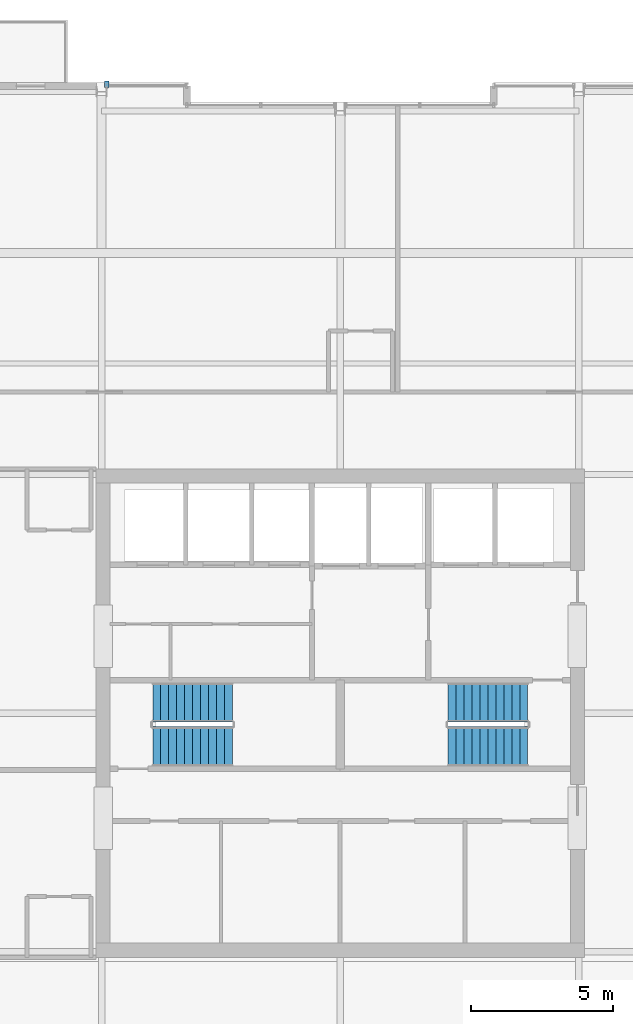
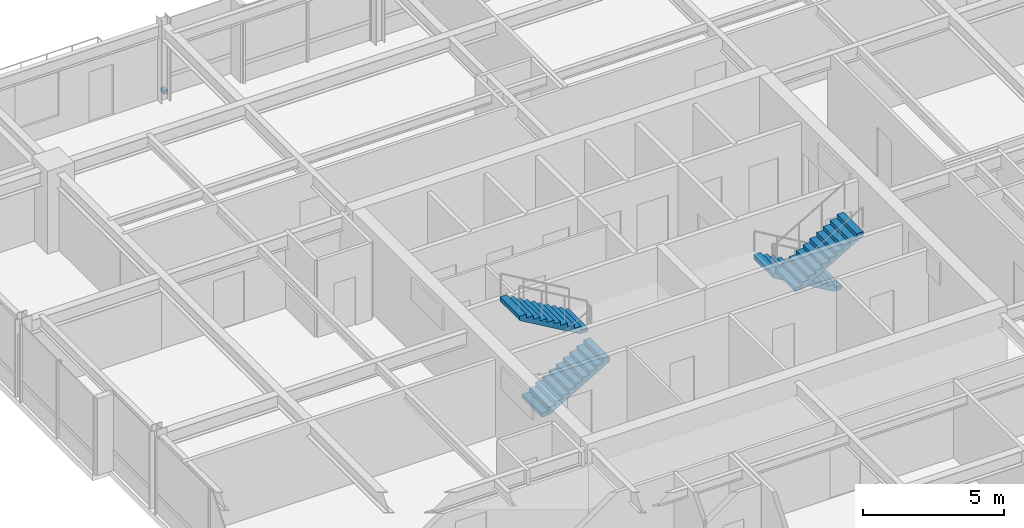
# One storey, part 28 of 30: 4 stair flights, 1 discrete accessory, 2 elements without a shape of their own.
"""IFC4 building model written with IfcOpenShell, lengths in metres."""

from ifc_helpers import new_model, si_unit, direction, frame, origin, origin_2d, place, context, subcontext, project, spatial, polyline, rectangle, outline, extrude, material, type_object, element, aggregate, save


model = new_model("IFC4")

# Units and contexts
model_context = context("Model", 3, precision=1e-05, world=origin(), true_north=direction((0.0, 1.0)))
body_context = subcontext(model_context, "Body", "Model", "MODEL_VIEW")
ifc_project = project(units=[si_unit("LENGTHUNIT", "METRE"), si_unit("AREAUNIT", "SQUARE_METRE"), si_unit("VOLUMEUNIT", "CUBIC_METRE"), si_unit("PLANEANGLEUNIT", "RADIAN"), si_unit("MASSUNIT", "GRAM", prefix="KILO")], contexts=[model_context])

# Site, building, storey
site_placement = place(None, origin())
site = spatial("IfcSite", under=ifc_project, at=site_placement, CompositionType="ELEMENT")
building_placement = place(site_placement, origin())
building = spatial("IfcBuilding", under=site, at=building_placement, Name="Drelvath Grand Hotel", CompositionType="ELEMENT")
storey_placement = place(building_placement, frame((0.0, 0.0, 215.89990234375)))
storey = spatial("IfcBuildingStorey", under=building, at=storey_placement, Name="L56", CompositionType="ELEMENT", Elevation=215.89990234375)

# Stair, stair flights
ifc_material_1 = material(Name="Concrete C40/50", Category="concrete")
stair_type = type_object("IfcStairType", Name="Dogleg Exit Stair W1400-R163.6", PredefinedType="HALF_TURN_STAIR", material=ifc_material_1)
stair_1_placement = place(storey_placement, origin())
stair_1 = element("IfcStair", 1, at=stair_1_placement, inside=storey, type_object=stair_type, Name="L56 Core Exit Stair ST-1", PredefinedType="HALF_TURN_STAIR")
stair_flight_type = type_object("IfcStairFlightType", Name="Concrete Stair Flight W1400-R163.6", PredefinedType="STRAIGHT", material=ifc_material_1)
stair_flight_1_placement = place(storey_placement, frame((-6.60009765625, 25.820068359375, 0.0), z_axis=(0.0, 0.0, 1.0), x_axis=(1.0, 0.0, 0.0)))
stair_flight_1 = element("IfcStairFlight", 2, at=stair_flight_1_placement, type_object=stair_flight_type, Name="ST-1 flight 1", NumberOfRisers=11, NumberOfTreads=10, PredefinedType="STRAIGHT", RiserHeight=0.163636364, TreadLength=0.28, context=body_context, shape_type="SweptSolid", body=[
    extrude(outline(polyline([(0.0, 0.0), (0.0, 0.16357421875), (0.280029296875, 0.16357421875), (0.280029296875, 0.327392578125), (0.56005859375, 0.327392578125), (0.56005859375, 0.490966796875), (0.840087890625, 0.490966796875), (0.840087890625, 0.654541015625), (1.1201171875, 0.654541015625), (1.1201171875, 0.818115234375), (1.39990234375, 0.818115234375), (1.39990234375, 0.98193359375), (1.679931640625, 0.98193359375), (1.679931640625, 1.1455078125), (1.9599609375, 1.1455078125), (1.9599609375, 1.30908203125), (2.239990234375, 1.30908203125), (2.239990234375, 1.47265625), (2.52001953125, 1.47265625), (2.52001953125, 1.636474609375), (2.800048828125, 1.636474609375), (2.800048828125, 1.800048828125), (2.800048828125, 1.451171875), (0.31689453125, 0.0), (0.0, 0.0)])), frame((0.0, 0.699951171875, 0.0), z_axis=(0.0, -1.0, 0.0), x_axis=(1.0, 0.0, 0.0)), (0.0, 0.0, 1.0), 1.39990234375),
])
stair_flight_2_placement = place(storey_placement, frame((-3.800048828125, 27.3798828125, 1.800048828125), z_axis=(0.0, 0.0, 1.0), x_axis=(-1.0, 0.0, 0.0)))
stair_flight_2 = element("IfcStairFlight", 3, at=stair_flight_2_placement, type_object=stair_flight_type, Name="ST-1 flight 2", NumberOfRisers=11, NumberOfTreads=10, PredefinedType="STRAIGHT", RiserHeight=0.163636364, TreadLength=0.28, context=body_context, shape_type="SweptSolid", body=[
    extrude(outline(polyline([(0.0, 0.0), (0.0, 0.16357421875), (0.280029296875, 0.16357421875), (0.280029296875, 0.327392578125), (0.56005859375, 0.327392578125), (0.56005859375, 0.490966796875), (0.840087890625, 0.490966796875), (0.840087890625, 0.654541015625), (1.1201171875, 0.654541015625), (1.1201171875, 0.818115234375), (1.39990234375, 0.818115234375), (1.39990234375, 0.98193359375), (1.679931640625, 0.98193359375), (1.679931640625, 1.1455078125), (1.9599609375, 1.1455078125), (1.9599609375, 1.30908203125), (2.239990234375, 1.30908203125), (2.239990234375, 1.47265625), (2.52001953125, 1.47265625), (2.52001953125, 1.636474609375), (2.800048828125, 1.636474609375), (2.800048828125, 1.800048828125), (2.800048828125, 1.451171875), (0.31689453125, 0.0), (0.0, 0.0)])), frame((0.0, 0.699951171875, 0.0), z_axis=(0.0, -1.0, 0.0), x_axis=(1.0, 0.0, 0.0)), (0.0, 0.0, 1.0), 1.39990234375),
])
aggregate(stair_1, [stair_flight_1, stair_flight_2])

stair_2_placement = place(storey_placement, origin())
stair_2 = element("IfcStair", 4, at=stair_2_placement, inside=storey, type_object=stair_type, Name="L56 Core Exit Stair ST-2", PredefinedType="HALF_TURN_STAIR")
stair_flight_3_placement = place(storey_placement, frame((6.60009765625, 27.3798828125, 0.0), z_axis=(0.0, 0.0, 1.0), x_axis=(-1.0, 0.0, 0.0)))
stair_flight_3 = element("IfcStairFlight", 5, at=stair_flight_3_placement, type_object=stair_flight_type, Name="ST-2 flight 1", NumberOfRisers=11, NumberOfTreads=10, PredefinedType="STRAIGHT", RiserHeight=0.163636364, TreadLength=0.28, context=body_context, shape_type="SweptSolid", body=[
    extrude(outline(polyline([(0.0, 0.0), (0.0, 0.16357421875), (0.280029296875, 0.16357421875), (0.280029296875, 0.327392578125), (0.56005859375, 0.327392578125), (0.56005859375, 0.490966796875), (0.840087890625, 0.490966796875), (0.840087890625, 0.654541015625), (1.1201171875, 0.654541015625), (1.1201171875, 0.818115234375), (1.39990234375, 0.818115234375), (1.39990234375, 0.98193359375), (1.679931640625, 0.98193359375), (1.679931640625, 1.1455078125), (1.9599609375, 1.1455078125), (1.9599609375, 1.30908203125), (2.239990234375, 1.30908203125), (2.239990234375, 1.47265625), (2.52001953125, 1.47265625), (2.52001953125, 1.636474609375), (2.800048828125, 1.636474609375), (2.800048828125, 1.800048828125), (2.800048828125, 1.451171875), (0.31689453125, 0.0), (0.0, 0.0)])), frame((0.0, 0.699951171875, 0.0), z_axis=(0.0, -1.0, 0.0), x_axis=(1.0, 0.0, 0.0)), (0.0, 0.0, 1.0), 1.39990234375),
])
stair_flight_4_placement = place(storey_placement, frame((3.800048828125, 25.820068359375, 1.800048828125), z_axis=(0.0, 0.0, 1.0), x_axis=(1.0, 0.0, 0.0)))
stair_flight_4 = element("IfcStairFlight", 6, at=stair_flight_4_placement, type_object=stair_flight_type, Name="ST-2 flight 2", NumberOfRisers=11, NumberOfTreads=10, PredefinedType="STRAIGHT", RiserHeight=0.163636364, TreadLength=0.28, context=body_context, shape_type="SweptSolid", body=[
    extrude(outline(polyline([(0.0, 0.0), (0.0, 0.16357421875), (0.280029296875, 0.16357421875), (0.280029296875, 0.327392578125), (0.56005859375, 0.327392578125), (0.56005859375, 0.490966796875), (0.840087890625, 0.490966796875), (0.840087890625, 0.654541015625), (1.1201171875, 0.654541015625), (1.1201171875, 0.818115234375), (1.39990234375, 0.818115234375), (1.39990234375, 0.98193359375), (1.679931640625, 0.98193359375), (1.679931640625, 1.1455078125), (1.9599609375, 1.1455078125), (1.9599609375, 1.30908203125), (2.239990234375, 1.30908203125), (2.239990234375, 1.47265625), (2.52001953125, 1.47265625), (2.52001953125, 1.636474609375), (2.800048828125, 1.636474609375), (2.800048828125, 1.800048828125), (2.800048828125, 1.451171875), (0.31689453125, 0.0), (0.0, 0.0)])), frame((0.0, 0.699951171875, 0.0), z_axis=(0.0, -1.0, 0.0), x_axis=(1.0, 0.0, 0.0)), (0.0, 0.0, 1.0), 1.39990234375),
])
aggregate(stair_2, [stair_flight_3, stair_flight_4])

# Discrete accessory
ifc_material_2 = material(Name="Stainless Steel Grade 316", Category="steel")
discrete_accessory_type = type_object("IfcDiscreteAccessoryType", Name="Curtain Wall Fin Mounting Bracket Cleat", PredefinedType="BRACKET", material=ifc_material_2)
discrete_accessory_placement = place(storey_placement, frame((-8.214599609375, 49.139892578125, 0.10009765625), z_axis=(0.0, 0.0, 1.0), x_axis=(1.0, 0.0, 0.0)))
element("IfcDiscreteAccessory", 7, at=discrete_accessory_placement, inside=storey, type_object=discrete_accessory_type, Name="L56 Fin Mounting Bracket CW05-L56-NW3-1", PredefinedType="BRACKET", context=body_context, shape_type="SweptSolid", body=[
    extrude(rectangle(XDim=0.159912109375, YDim=0.239990234375, at=origin_2d()), origin(), (0.0, 0.0, 1.0), 0.159912109375),
])

save(model, "model.ifc")
